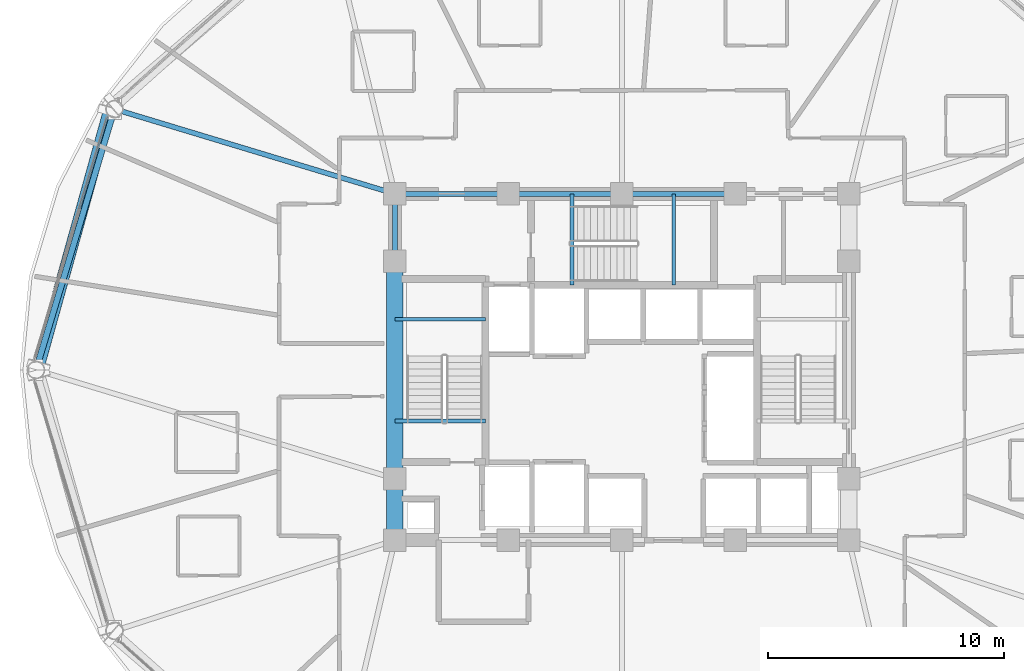
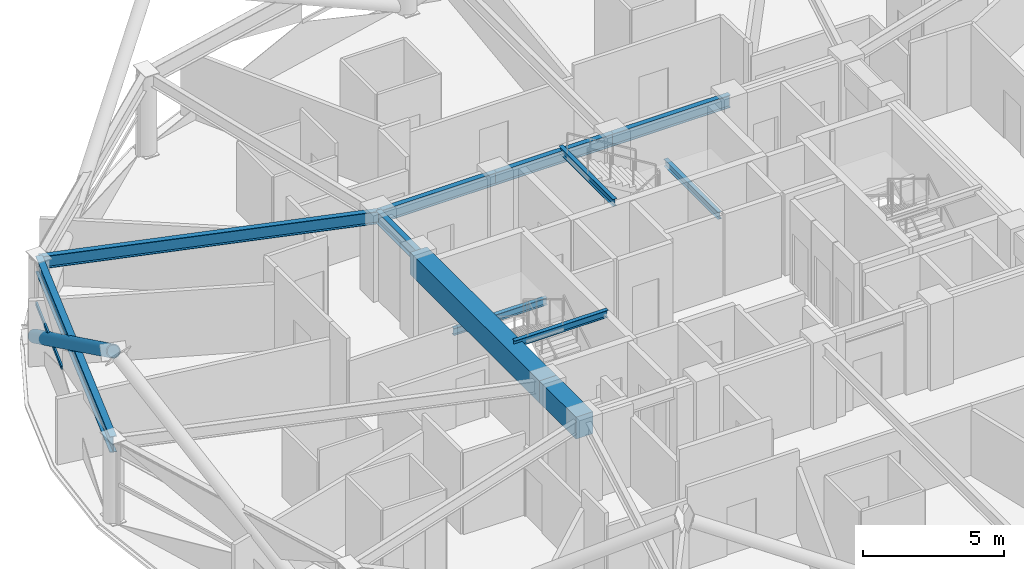
# One storey, part 7 of 29: 12 beams, 2 members, 1 element without a shape of its own.
"""IFC4 building model written with IfcOpenShell, lengths in metres."""

from ifc_helpers import new_model, si_unit, direction, frame, origin, origin_2d, place, context, subcontext, project, spatial, rectangle, hollow_rectangle, hollow_circle, i_section, extrude, material, layer, layer_set, material_profile, profile_set, type_object, element, aggregate, save


model = new_model("IFC4")

# Units and contexts
model_context = context("Model", 3, precision=1e-05, world=origin(), true_north=direction((0.0, 1.0)))
body_context = subcontext(model_context, "Body", "Model", "MODEL_VIEW")
ifc_project = project(units=[si_unit("LENGTHUNIT", "METRE"), si_unit("AREAUNIT", "SQUARE_METRE"), si_unit("VOLUMEUNIT", "CUBIC_METRE"), si_unit("PLANEANGLEUNIT", "RADIAN"), si_unit("MASSUNIT", "GRAM", prefix="KILO")], contexts=[model_context])

# Site, building, storey
site_placement = place(None, origin())
site = spatial("IfcSite", under=ifc_project, at=site_placement, CompositionType="ELEMENT")
building_placement = place(site_placement, origin())
building = spatial("IfcBuilding", under=site, at=building_placement, Name="Vantalir Tower", CompositionType="ELEMENT")
storey_placement = place(building_placement, frame((0.0, 0.0, 157.199951171875)))
storey = spatial("IfcBuildingStorey", under=building, at=storey_placement, Name="L39", CompositionType="ELEMENT", Elevation=157.199951171875)

# Beams
ifc_material_1 = material(Name="Concrete C60/75", Category="concrete")
ifc_material_profile_1 = material_profile(ifc_material_1, rectangle(XDim=0.699951171875, YDim=0.949951171875, at=origin_2d()), Name="Concrete C60/75")
ifc_profile_set_1 = profile_set([ifc_material_profile_1], Name="Concrete C60/75")
beam_type_1 = type_object("IfcBeamType", Name="BM-CB-700x950", PredefinedType="USERDEFINED", material=ifc_profile_set_1)
beam_1_placement = place(storey_placement, frame((21.89990234375, 29.60009765625, 3.094970703125), z_axis=(0.0, -1.0, 0.0), x_axis=(1.0, 0.0, 0.0)))
element("IfcBeam", 1, at=beam_1_placement, inside=storey, type_object=beam_type_1, Name="L39 Core Coupling Girder 13", ObjectType="GIRDER", PredefinedType="USERDEFINED", context=body_context, shape_type="SweptSolid", body=[
    extrude(rectangle(XDim=0.699951171875, YDim=0.949951171875, at=origin_2d()), origin(), (0.0, 0.0, 1.0), 9.2001953125),
])
beam_2_placement = place(storey_placement, frame((21.89990234375, 20.39990234375, 3.094970703125), z_axis=(0.0, -1.0, 0.0), x_axis=(1.0, 0.0, 0.0)))
element("IfcBeam", 2, at=beam_2_placement, inside=storey, type_object=beam_type_1, Name="L39 Core Coupling Girder 14", ObjectType="GIRDER", PredefinedType="USERDEFINED", context=body_context, shape_type="SweptSolid", body=[
    extrude(rectangle(XDim=0.699951171875, YDim=0.949951171875, at=origin_2d()), origin(), (0.0, 0.0, 1.0), 2.599853515625),
])
ifc_material_2 = material(Name="Steel S355", Category="steel")
ifc_material_profile_2 = material_profile(ifc_material_2, i_section(OverallWidth=0.166015625, OverallDepth=0.306884765625, WebThickness=0.006591796875, FlangeThickness=0.01171875, at=origin_2d()), Name="Steel S355")
ifc_profile_set_2 = profile_set([ifc_material_profile_2], Name="Steel S355")
beam_type_2 = type_object("IfcBeamType", Name="BM-JS-305x165", PredefinedType="JOIST", material=ifc_profile_set_2)
for number, where, z_axis, x_axis, name in (
    (3, (21.89990234375, 22.8349609375, 3.595947265625), (1.0, 0.0, 0.0), (0.0, 1.0, 0.0), "L40 Stair ST1 Well Nosing Trimmer Beam"),
    (4, (21.89990234375, 27.14501953125, 1.52197265625), (1.0, 0.0, 0.0), (0.0, 1.0, 0.0), "L39 Stair ST1 Half-Landing Support Beam"),
):
    element("IfcBeam", number, at=place(storey_placement, frame(where, z_axis=z_axis, x_axis=x_axis)), inside=storey, type_object=beam_type_2, Name=name, PredefinedType="JOIST", context=body_context, shape_type="SweptSolid", body=[
        extrude(i_section(OverallWidth=0.166015625, OverallDepth=0.306884765625, WebThickness=0.006591796875, FlangeThickness=0.01171875, at=origin_2d()), origin(), (0.0, 0.0, 1.0), 3.840087890625),
    ])
for number, where, z_axis, x_axis, name in (
    (5, (29.385009765625, 28.60009765625, 3.595947265625), (0.0, 1.0, 0.0), (-1.0, 0.0, 0.0), "L40 Stair ST3 Well Nosing Trimmer Beam"),
    (6, (33.695068359375, 28.60009765625, 1.52197265625), (0.0, 1.0, 0.0), (-1.0, 0.0, 0.0), "L39 Stair ST3 Half-Landing Support Beam"),
):
    element("IfcBeam", number, at=place(storey_placement, frame(where, z_axis=z_axis, x_axis=x_axis)), inside=storey, type_object=beam_type_2, Name=name, PredefinedType="JOIST", context=body_context, shape_type="SweptSolid", body=[
        extrude(i_section(OverallWidth=0.166015625, OverallDepth=0.306884765625, WebThickness=0.006591796875, FlangeThickness=0.01171875, at=origin_2d()), origin(), (0.0, 0.0, 1.0), 3.849853515625),
    ])
ifc_material_profile_3 = material_profile(ifc_material_2, i_section(OverallWidth=0.2109375, OverallDepth=0.5390625, WebThickness=0.01171875, FlangeThickness=0.018798828125, at=origin_2d()), Name="Steel S355")
ifc_profile_set_3 = profile_set([ifc_material_profile_3], Name="Steel S355")
beam_type_3 = type_object("IfcBeamType", Name="BM-RB-533x210", PredefinedType="BEAM", material=ifc_profile_set_3)
for number, where, z_axis, x_axis, name in (
    (7, (36.300048828125, 32.449951171875, 3.301025390625), (-1.0, 0.0, 0.0), (0.0, -1.0, 0.0), "L39 Core Coupling Girder 09"),
    (8, (31.5, 32.449951171875, 3.301025390625), (-1.0, 0.0, 0.0), (0.0, -1.0, 0.0), "L39 Core Coupling Girder 10"),
    (9, (26.699951171875, 32.449951171875, 3.301025390625), (-1.0, 0.0, 0.0), (0.0, -1.0, 0.0), "L39 Core Coupling Girder 11"),
):
    element("IfcBeam", number, at=place(storey_placement, frame(where, z_axis=z_axis, x_axis=x_axis)), inside=storey, type_object=beam_type_3, Name=name, PredefinedType="BEAM", context=body_context, shape_type="SweptSolid", body=[
        extrude(i_section(OverallWidth=0.2109375, OverallDepth=0.5390625, WebThickness=0.01171875, FlangeThickness=0.018798828125, at=origin_2d()), origin(), (0.0, 0.0, 1.0), 4.800048828125),
    ])
beam_3_placement = place(storey_placement, frame((21.89990234375, 32.449951171875, 3.301025390625), z_axis=(0.0, -1.0, 0.0), x_axis=(1.0, 0.0, 0.0)))
element("IfcBeam", 10, at=beam_3_placement, inside=storey, type_object=beam_type_3, Name="L39 Core Coupling Girder 12", PredefinedType="BEAM", context=body_context, shape_type="SweptSolid", body=[
    extrude(i_section(OverallWidth=0.2109375, OverallDepth=0.5390625, WebThickness=0.01171875, FlangeThickness=0.018798828125, at=origin_2d()), origin(), (0.0, 0.0, 1.0), 2.849853515625),
])
beam_4_placement = place(storey_placement, frame((10.037109375, 36.033935546875, 3.301025390625), z_axis=(0.957265983096, -0.289208986043, 0.0), x_axis=(0.289208986043, 0.957265983096, 0.0)))
element("IfcBeam", 11, at=beam_4_placement, inside=storey, type_object=beam_type_3, Name="L39 Radial Floor Beam 06", PredefinedType="BEAM", context=body_context, shape_type="SweptSolid", body=[
    extrude(i_section(OverallWidth=0.2109375, OverallDepth=0.5390625, WebThickness=0.01171875, FlangeThickness=0.018798828125, at=origin_2d()), origin(), (0.0, 0.0, 1.0), 12.392333984375),
])
ifc_material_3 = material(Name="Steel S460", Category="steel")
ifc_material_profile_4 = material_profile(ifc_material_3, i_section(OverallWidth=0.256103515625, OverallDepth=0.693115234375, WebThickness=0.014404296875, FlangeThickness=0.023681640625, at=origin_2d()), Name="Steel S460")
ifc_profile_set_4 = profile_set([ifc_material_profile_4], Name="Steel S460")
beam_type_4 = type_object("IfcBeamType", Name="BM-RG-686x254", PredefinedType="USERDEFINED", material=ifc_profile_set_4)
beam_5_placement = place(storey_placement, frame((10.037109375, 36.033935546875, 3.22412109375), z_axis=(-0.288135047515, -0.957589783986, 0.0), x_axis=(0.957589783986, -0.288135047515, 0.0)))
element("IfcBeam", 12, at=beam_5_placement, inside=storey, type_object=beam_type_4, Name="L39 Circumferential Ring Girder 06", ObjectType="GIRDER", PredefinedType="USERDEFINED", context=body_context, shape_type="SweptSolid", body=[
    extrude(i_section(OverallWidth=0.256103515625, OverallDepth=0.693115234375, WebThickness=0.014404296875, FlangeThickness=0.023681640625, at=origin_2d()), origin(), (0.0, 0.0, 1.0), 11.522705078125),
])

# Curtain wall, member
ifc_material_4 = material(Name="Champagne-silver PVDF aluminium and double-silver Low-E glass", Category="aluminium")
ifc_layer = layer(ifc_material_4, 0.199951171875)
ifc_layer_set = layer_set([ifc_layer], Name="Champagne-silver PVDF aluminium and double-silver Low-E glass")
curtain_wall_type = type_object("IfcCurtainWallType", Name="CW-DIAMOND-Z2", PredefinedType="USERDEFINED", material=ifc_layer_set)
curtain_wall_placement = place(storey_placement, origin())
curtain_wall = element("IfcCurtainWall", 13, at=curtain_wall_placement, inside=storey, type_object=curtain_wall_type, Name="L39 Quilted Pyramid-Diamond Curtain Wall S06", ObjectType="UNITISED CURTAIN WALL", PredefinedType="USERDEFINED")
ifc_material_5 = material(Name="Champagne-silver PVDF aluminium 6063-T6", Category="aluminium")
ifc_material_profile_5 = material_profile(ifc_material_5, hollow_rectangle(XDim=0.074951171875, YDim=0.159912109375, WallThickness=0.00390625, at=origin_2d()), Name="Champagne-silver PVDF aluminium 6063-T6")
ifc_profile_set_5 = profile_set([ifc_material_profile_5], Name="Champagne-silver PVDF aluminium 6063-T6")
member_type_1 = type_object("IfcMemberType", Name="CWT-160x75", PredefinedType="USERDEFINED", material=ifc_profile_set_5)
member_1_placement = place(storey_placement, frame((9.74609375, 35.7080078125, 1.78515625), z_axis=(-0.293493177242, -0.955961168099, 0.0), x_axis=(0.955961168099, -0.293493177242, 0.0)))
member_1 = element("IfcMember", 14, at=member_1_placement, type_object=member_type_1, Name="CW-L39-S06 Pyramid Fold Ridge Transom", ObjectType="TRANSOM", PredefinedType="USERDEFINED", context=body_context, shape_type="SweptSolid", body=[
    extrude(hollow_rectangle(XDim=0.074951171875, YDim=0.159912109375, WallThickness=0.00390625, at=origin_2d()), origin(), (0.0, 0.0, 1.0), 4.081787109375),
])
aggregate(curtain_wall, [member_1])

# Member
ifc_material_profile_6 = material_profile(ifc_material_3, hollow_circle(Radius=0.260009765625, WallThickness=0.0380859375, at=origin_2d()), Name="Steel S460")
ifc_profile_set_6 = profile_set([ifc_material_profile_6], Name="Steel S460")
member_type_2 = type_object("IfcMemberType", Name="MEM-DB-520x38", PredefinedType="BRACE", material=ifc_profile_set_6)
member_2_placement = place(storey_placement, frame((9.822998046875, 35.948974609375, 0.196044921875), z_axis=(-0.228035709133, -0.818842000151, 0.526780309188), x_axis=(0.963341859009, -0.26827683963, 0.0)))
element("IfcMember", 15, at=member_2_placement, inside=storey, type_object=member_type_2, Name="L39 Perimeter S460 Diagrid Brace R16L", PredefinedType="BRACE", context=body_context, shape_type="SweptSolid", body=[
    extrude(hollow_circle(Radius=0.260009765625, WallThickness=0.0380859375, at=origin_2d()), origin(), (0.0, 0.0, 1.0), 13.151611328125),
])

save(model, "model.ifc")
